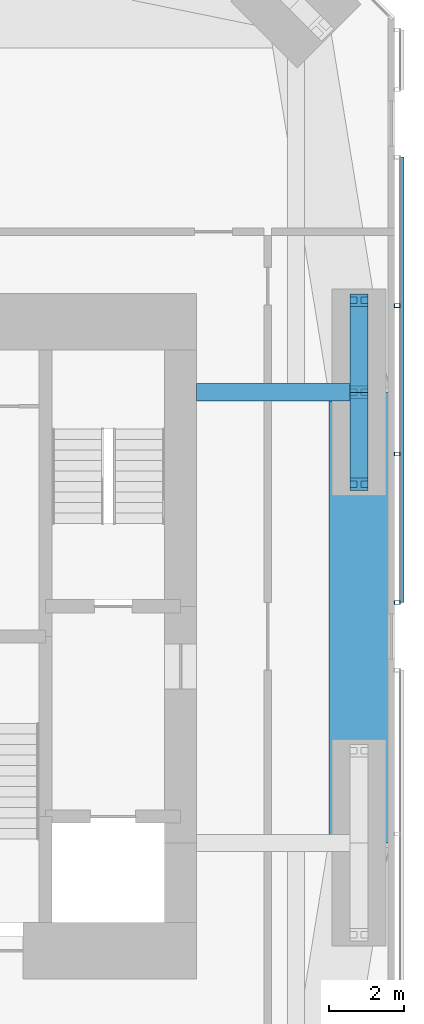
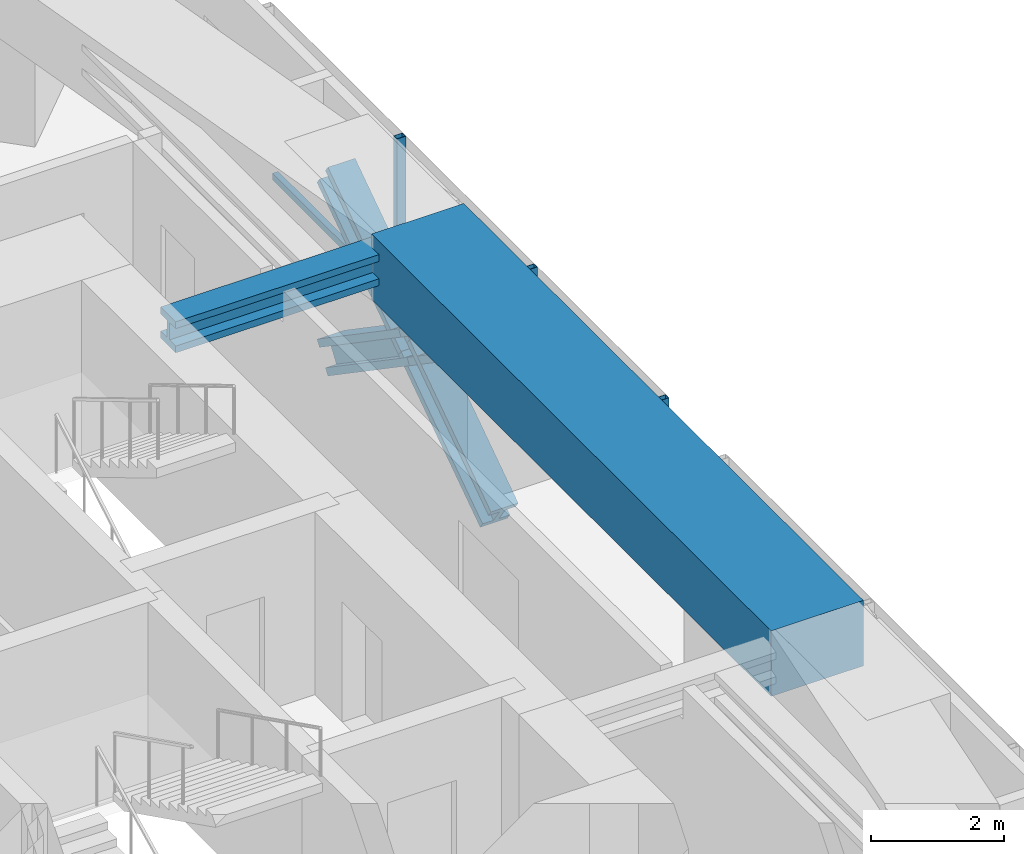
# One storey, part 10 of 24: 8 members, 2 beams, 1 element without a shape of its own.
"""IFC4 building model written with IfcOpenShell, lengths in metres."""

from ifc_helpers import new_model, si_unit, direction, frame, origin, origin_2d, place, context, subcontext, project, spatial, rectangle, hollow_rectangle, i_section, extrude, material, material_profile, profile_set, type_object, element, aggregate, save


model = new_model("IFC4")

# Units and contexts
model_context = context("Model", 3, precision=1e-05, world=origin(), true_north=direction((0.0, 1.0)))
body_context = subcontext(model_context, "Body", "Model", "MODEL_VIEW")
ifc_project = project(units=[si_unit("LENGTHUNIT", "METRE"), si_unit("AREAUNIT", "SQUARE_METRE"), si_unit("VOLUMEUNIT", "CUBIC_METRE"), si_unit("PLANEANGLEUNIT", "RADIAN"), si_unit("MASSUNIT", "GRAM", prefix="KILO")], contexts=[model_context])

# Site, building, storey
site_placement = place(None, origin())
site = spatial("IfcSite", under=ifc_project, at=site_placement, CompositionType="ELEMENT")
building_placement = place(site_placement, origin())
building = spatial("IfcBuilding", under=site, at=building_placement, Name="Jalousie Tower", CompositionType="ELEMENT")
storey_placement = place(building_placement, frame((0.0, 0.0, 131.64990234375)))
storey = spatial("IfcBuildingStorey", under=building, at=storey_placement, Name="L36", CompositionType="ELEMENT", Elevation=131.64990234375)

# Beam
ifc_material_1 = material(Name="Steel ASTM A992 Grade 50", Category="steel")
ifc_material_profile_1 = material_profile(ifc_material_1, i_section(OverallWidth=0.45458984375, OverallDepth=0.569091796875, WebThickness=0.077880859375, FlangeThickness=0.124755859375, at=origin_2d()), Name="W14X730")
ifc_profile_set_1 = profile_set([ifc_material_profile_1], Name="Steel ASTM A992 Grade 50")
beam_type_1 = type_object("IfcBeamType", Name="LEAN COLLECTOR W14X730", PredefinedType="BEAM", material=ifc_profile_set_1)
beam_1_placement = place(storey_placement, frame((48.550048828125, 25.0, 2.82568359375), z_axis=(-1.0, 0.0, 0.0), x_axis=(0.0, -1.0, 0.0)))
element("IfcBeam", 1, at=beam_1_placement, inside=storey, type_object=beam_type_1, Name="Lean collector under L37", PredefinedType="BEAM", context=body_context, shape_type="SweptSolid", body=[
    extrude(i_section(OverallWidth=0.45458984375, OverallDepth=0.569091796875, WebThickness=0.077880859375, FlangeThickness=0.124755859375, at=origin_2d()), origin(), (0.0, 0.0, 1.0), 4.324951171875),
])

# Members
ifc_material_2 = material(Name="Steel ASTM A992 Grade 50", Category="steel")
ifc_material_profile_2 = material_profile(ifc_material_2, i_section(OverallWidth=0.472412109375, OverallDepth=0.5791015625, WebThickness=0.094970703125, FlangeThickness=0.1298828125, at=origin_2d()), Name="W14X808")
ifc_profile_set_2 = profile_set([ifc_material_profile_2], Name="Steel ASTM A992 Grade 50")
member_type_1 = type_object("IfcMemberType", Name="PERIMETER BRACE W14X808", PredefinedType="BRACE", material=ifc_profile_set_2)
for number, where, z_axis, x_axis, name in (
    (2, (48.550048828125, 22.550048828125, -0.599853515625), (0.0, 0.825500916831, 0.564400776321), (-1.0, 0.0, 0.0), "Perimeter brace 07 L36 part 1"),
    (3, (48.550048828125, 25.0, 1.0751953125), (0.0, 0.825539243753, 0.564344714713), (-1.0, 0.0, 0.0), "Perimeter brace 07 L36 part 2"),
    (4, (48.550048828125, 27.449951171875, -0.599853515625), (0.0, -0.825500916831, 0.564400776321), (1.0, 0.0, 0.0), "Perimeter brace 07 L36 part 3"),
    (5, (48.550048828125, 25.0, 1.0751953125), (0.0, -0.825539243753, 0.564344714713), (1.0, 0.0, 0.0), "Perimeter brace 07 L36 part 4"),
):
    element("IfcMember", number, at=place(storey_placement, frame(where, z_axis=z_axis, x_axis=x_axis)), inside=storey, type_object=member_type_1, Name=name, PredefinedType="BRACE", context=body_context, shape_type="SweptSolid", body=[
        extrude(i_section(OverallWidth=0.472412109375, OverallDepth=0.5791015625, WebThickness=0.094970703125, FlangeThickness=0.1298828125, at=origin_2d()), origin(), (0.0, 0.0, 1.0), 2.9677734375),
    ])

# Beam
ifc_material_3 = material(Name="Concrete f'c 40 MPa", Category="concrete")
ifc_material_profile_3 = material_profile(ifc_material_3, rectangle(XDim=1.60009765625, YDim=1.199951171875, at=origin_2d()), Name="RC 1600x1200")
ifc_profile_set_3 = profile_set([ifc_material_profile_3], Name="Concrete f'c 40 MPa")
beam_type_2 = type_object("IfcBeamType", Name="RC BEAM 1600x1200", PredefinedType="BEAM", material=ifc_profile_set_3)
beam_2_placement = place(storey_placement, frame((48.550048828125, 13.0, 2.75), z_axis=(0.0, 1.0, 0.0), x_axis=(-1.0, 0.0, 0.0)))
element("IfcBeam", 6, at=beam_2_placement, inside=storey, type_object=beam_type_2, Name="Edge band beam 06-07 under L37", PredefinedType="BEAM", context=body_context, shape_type="SweptSolid", body=[
    extrude(rectangle(XDim=1.60009765625, YDim=1.199951171875, at=origin_2d()), origin(), (0.0, 0.0, 1.0), 12.0),
])

# Curtain wall, members
ifc_material_4 = material(Name="Perforated aluminium sheet", Category="aluminium")
curtain_wall_type = type_object("IfcCurtainWallType", Name="SOLAR SCREEN SS-1", PredefinedType="USERDEFINED", material=ifc_material_4)
curtain_wall_placement = place(storey_placement, origin())
curtain_wall = element("IfcCurtainWall", 7, at=curtain_wall_placement, inside=storey, type_object=curtain_wall_type, Name="Solar screen L36", ObjectType="SOLAR SCREEN SS-1", PredefinedType="USERDEFINED")
ifc_material_5 = material(Name="Steel ASTM A500 Grade C", Category="steel")
ifc_material_profile_4 = material_profile(ifc_material_5, hollow_rectangle(XDim=0.1015625, YDim=0.15234375, WallThickness=0.00634765625, at=origin_2d()), Name="HSS6X4X1/4")
ifc_profile_set_4 = profile_set([ifc_material_profile_4], Name="Steel ASTM A500 Grade C")
member_type_2 = type_object("IfcMemberType", Name="SOLAR SCREEN SS-1 MULLION", PredefinedType="MULLION", material=ifc_profile_set_4)
member_1_placement = place(storey_placement, frame((49.5712890625, 19.39990234375, -0.119873046875), z_axis=(0.0, 0.0, 1.0), x_axis=(0.0, 1.0, 0.0)))
member_1 = element("IfcMember", 8, at=member_1_placement, type_object=member_type_2, Name="SS1 post 1", PredefinedType="MULLION", context=body_context, shape_type="SweptSolid", body=[
    extrude(hollow_rectangle(XDim=0.1015625, YDim=0.15234375, WallThickness=0.00634765625, at=origin_2d()), origin(), (0.0, 0.0, 1.0), 3.22998046875),
])
member_2_placement = place(storey_placement, frame((49.5712890625, 23.35400390625, -0.119873046875), z_axis=(0.0, 0.0, 1.0), x_axis=(0.0, 1.0, 0.0)))
member_2 = element("IfcMember", 9, at=member_2_placement, type_object=member_type_2, Name="SS1 post 2", PredefinedType="MULLION", context=body_context, shape_type="SweptSolid", body=[
    extrude(hollow_rectangle(XDim=0.1015625, YDim=0.15234375, WallThickness=0.00634765625, at=origin_2d()), origin(), (0.0, 0.0, 1.0), 3.22998046875),
])
member_3_placement = place(storey_placement, frame((49.5712890625, 27.307861328125, -0.119873046875), z_axis=(0.0, 0.0, 1.0), x_axis=(0.0, 1.0, 0.0)))
member_3 = element("IfcMember", 10, at=member_3_placement, type_object=member_type_2, Name="SS1 post 3", PredefinedType="MULLION", context=body_context, shape_type="SweptSolid", body=[
    extrude(hollow_rectangle(XDim=0.1015625, YDim=0.15234375, WallThickness=0.00634765625, at=origin_2d()), origin(), (0.0, 0.0, 1.0), 3.22998046875),
])
ifc_material_6 = material(Name="Extruded aluminium screen rail", Category="aluminium")
ifc_material_profile_5 = material_profile(ifc_material_6, rectangle(XDim=0.1015625, YDim=0.1201171875, at=origin_2d()), Name="RAIL 102x120")
ifc_profile_set_5 = profile_set([ifc_material_profile_5], Name="Extruded aluminium screen rail")
member_type_3 = type_object("IfcMemberType", Name="SOLAR SCREEN SS-1 TRANSOM", PredefinedType="USERDEFINED", material=ifc_profile_set_5)
member_4_placement = place(storey_placement, frame((49.6982421875, 19.39990234375, -0.059814453125), z_axis=(0.0, 1.0, 0.0), x_axis=(-1.0, 0.0, 0.0)))
member_4 = element("IfcMember", 11, at=member_4_placement, type_object=member_type_3, Name="SS1 rail", ObjectType="TRANSOM", PredefinedType="USERDEFINED", context=body_context, shape_type="SweptSolid", body=[
    extrude(rectangle(XDim=0.1015625, YDim=0.1201171875, at=origin_2d()), origin(), (0.0, 0.0, 1.0), 11.862060546875),
])
aggregate(curtain_wall, [member_1, member_2, member_3, member_4])

save(model, "model.ifc")
